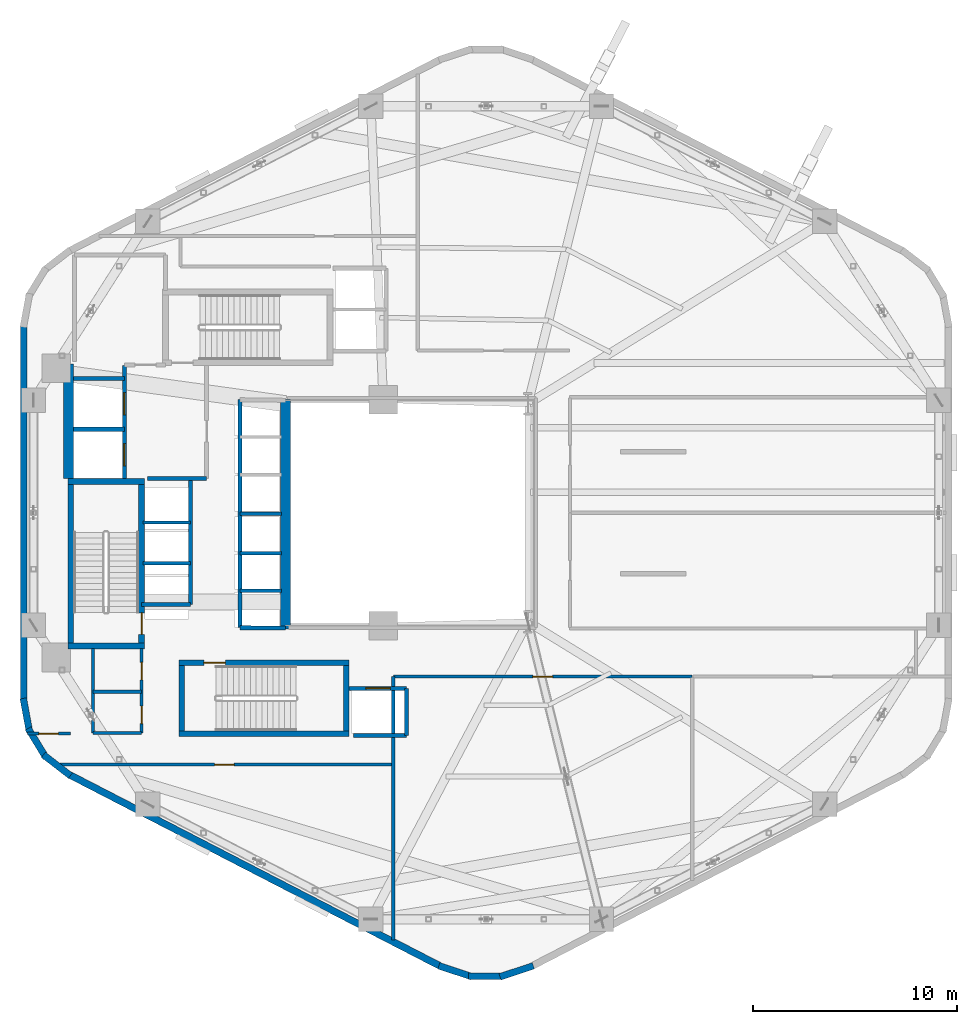
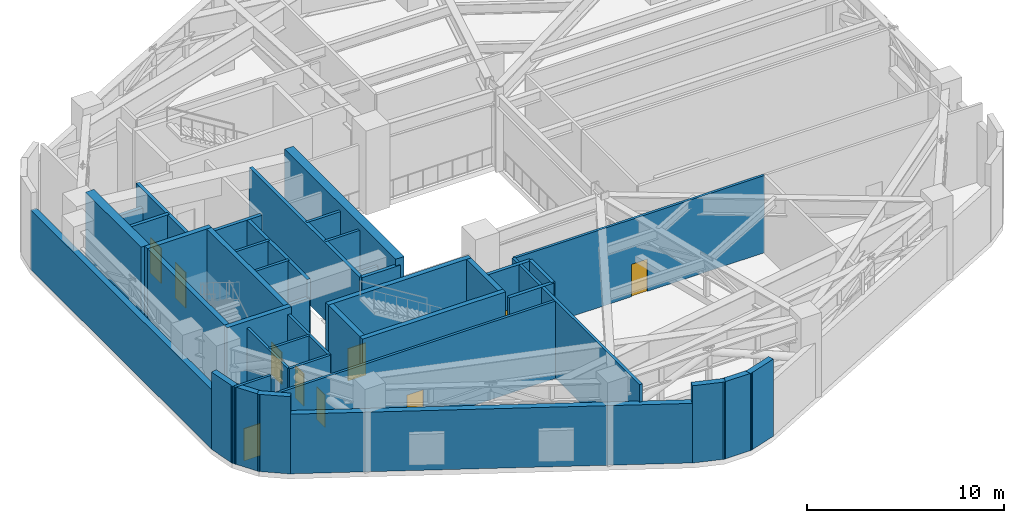
# One storey, part 10 of 14: 42 walls, 10 doors, 10 openings.
"""IFC4 building model written with IfcOpenShell, lengths in metres."""

from ifc_helpers import new_model, si_unit, direction, frame, frame_2d, origin, place, context, subcontext, project, spatial, rectangle, extrude, material, layer, layer_set, type_object, element, fill, save


model = new_model("IFC4")

# Units and contexts
model_context = context("Model", 3, precision=1e-05, world=origin(), true_north=direction((0.0, 1.0)))
body_context = subcontext(model_context, "Body", "Model", "MODEL_VIEW")
ifc_project = project(units=[si_unit("LENGTHUNIT", "METRE"), si_unit("AREAUNIT", "SQUARE_METRE"), si_unit("VOLUMEUNIT", "CUBIC_METRE"), si_unit("PLANEANGLEUNIT", "RADIAN"), si_unit("MASSUNIT", "GRAM", prefix="KILO"), si_unit("THERMODYNAMICTEMPERATUREUNIT", "KELVIN"), si_unit("POWERUNIT", "WATT")], contexts=[model_context])

# Site, building, storey
site_placement = place(None, origin())
site = spatial("IfcSite", under=ifc_project, at=site_placement, CompositionType="ELEMENT")
building_placement = place(site_placement, origin())
building = spatial("IfcBuilding", under=site, at=building_placement, Name="Skarre Station Tower", CompositionType="ELEMENT")
storey_placement = place(building_placement, frame((0.0, 0.0, 96.35009765625)))
storey = spatial("IfcBuildingStorey", under=building, at=storey_placement, Name="L25", CompositionType="ELEMENT", Elevation=96.35009765625)

# Walls
ifc_material_1 = material(Name="Acoustic Steel-Stud Gypsum Partition", Category="steel")
ifc_layer_1 = layer(ifc_material_1, 0.14990234375, Name="Acoustic Steel-Stud Gypsum Partition")
ifc_layer_set_1 = layer_set([ifc_layer_1], Name="Acoustic Steel-Stud Gypsum Partition")
wall_type_1 = type_object("IfcWallType", Name="Fire-Rated Corridor Acoustic Partition 150", PredefinedType="PARTITIONING", material=ifc_layer_set_1)
wall_1_placement = place(storey_placement, frame((18.10009765625, 17.340087890625, 0.0), z_axis=(0.0, 0.0, 1.0), x_axis=(0.0, -1.0, 0.0)))
element("IfcWall", 1, at=wall_1_placement, inside=storey, type_object=wall_type_1, Name="L25 Interior Partition WL-PT-L25-CSVC-W", PredefinedType="PARTITIONING", context=body_context, shape_type="SweptSolid", body=[
    extrude(rectangle(XDim=4.14013671875, YDim=0.14990234375, at=frame_2d((2.070068359375, 0.0))), origin(), (0.0, 0.0, 1.0), 4.77978515625),
])
for number, where, z_axis, x_axis, name in (
    (2, (18.10009765625, 13.199951171875, 0.0), (0.0, 0.0, 1.0), (1.0, 0.0, 0.0), "L25 Interior Partition WL-PT-L25-CSVC-S"),
    (3, (18.10009765625, 15.219970703125, 0.0), (0.0, 0.0, 1.0), (1.0, 0.0, 0.0), "L25 Interior Partition WL-PT-L25-CSVC-M"),
):
    element("IfcWall", number, at=place(storey_placement, frame(where, z_axis=z_axis, x_axis=x_axis)), inside=storey, type_object=wall_type_1, Name=name, PredefinedType="PARTITIONING", context=body_context, shape_type="SweptSolid", body=[
        extrude(rectangle(XDim=2.389892578125, YDim=0.14990234375, at=frame_2d((1.19482421875, 0.0))), origin(), (0.0, 0.0, 1.0), 4.77978515625),
    ])

# Wall, openings, doors
wall_2_placement = place(storey_placement, frame((20.489990234375, 13.199951171875, 0.0), z_axis=(0.0, 0.0, 1.0), x_axis=(0.0, 1.0, 0.0)))
wall_2 = element("IfcWall", 4, at=wall_2_placement, inside=storey, type_object=wall_type_1, Name="L25 Interior Partition WL-PT-L25-CSVC-E", PredefinedType="PARTITIONING", context=body_context, shape_type="SweptSolid", body=[
    extrude(rectangle(XDim=4.14013671875, YDim=0.14990234375, at=frame_2d((2.070068359375, 0.0))), origin(), (0.0, 0.0, 1.0), 4.77978515625),
])
opening_1_placement = place(wall_2_placement, frame((0.449951171875, 0.0, 0.0)))
opening_1 = element("IfcOpeningElement", 5, at=opening_1_placement, cuts=wall_2, Name="Opening DR-SVC86", PredefinedType="OPENING", context=body_context, shape_type="SweptSolid", body=[
    extrude(rectangle(XDim=0.860107421875, YDim=2.0, at=frame_2d((0.43017578125, 1.0))), frame((0.0, 0.0849609375, 0.0), z_axis=(0.0, -1.0, 0.0), x_axis=(1.0, 0.0, 0.0)), (0.0, 0.0, 1.0), 0.169921875),
])
opening_2_placement = place(wall_2_placement, frame((2.60009765625, 0.0, 0.0)))
opening_2 = element("IfcOpeningElement", 6, at=opening_2_placement, cuts=wall_2, Name="Opening DR-SVC86", PredefinedType="OPENING", context=body_context, shape_type="SweptSolid", body=[
    extrude(rectangle(XDim=0.860107421875, YDim=2.0, at=frame_2d((0.43017578125, 1.0))), frame((0.0, 0.0849609375, 0.0), z_axis=(0.0, -1.0, 0.0), x_axis=(1.0, 0.0, 0.0)), (0.0, 0.0, 1.0), 0.169921875),
])
ifc_material_2 = material(Name="Powder-Coated Hollow-Metal Acoustic Fire Leaf", Category="steel")
door_type_1 = type_object("IfcDoorType", Name="Compact Riser Fire Door FD60 860x2100", OperationType="SINGLE_SWING_LEFT", PredefinedType="DOOR", material=ifc_material_2)
door_1_placement = place(opening_1_placement, origin())
door_1 = element("IfcDoor", 7, at=door_1_placement, inside=storey, type_object=door_type_1, Name="L25 Vending Room Door", OperationType="SINGLE_SWING_LEFT", OverallHeight=2.0, OverallWidth=0.860107421875, PredefinedType="DOOR", context=body_context, shape_type="SweptSolid", body=[
    extrude(rectangle(XDim=0.860107421875, YDim=2.0, at=frame_2d((0.43017578125, 1.0))), frame((0.0, 0.02490234375, 0.0), z_axis=(0.0, -1.0, 0.0), x_axis=(1.0, 0.0, 0.0)), (0.0, 0.0, 1.0), 0.050048828125),
])
fill(opening_1, door_1)
door_2_placement = place(opening_2_placement, origin())
door_2 = element("IfcDoor", 8, at=door_2_placement, inside=storey, type_object=door_type_1, Name="L25 Linen Storage Door", OperationType="SINGLE_SWING_LEFT", OverallHeight=2.0, OverallWidth=0.860107421875, PredefinedType="DOOR", context=body_context, shape_type="SweptSolid", body=[
    extrude(rectangle(XDim=0.860107421875, YDim=2.0, at=frame_2d((0.43017578125, 1.0))), frame((0.0, 0.02490234375, 0.0), z_axis=(0.0, -1.0, 0.0), x_axis=(1.0, 0.0, 0.0)), (0.0, 0.0, 1.0), 0.050048828125),
])
fill(opening_2, door_2)

# Wall, opening, door
wall_3_placement = place(storey_placement, frame((17.0, 13.159912109375, 0.0), z_axis=(0.0, 0.0, 1.0), x_axis=(-1.0, 0.0, 0.0)))
wall_3 = element("IfcWall", 9, at=wall_3_placement, inside=storey, type_object=wall_type_1, Name="L25 Interior Partition WL-PT-L25-PLTW1-CW", PredefinedType="PARTITIONING", context=body_context, shape_type="SweptSolid", body=[
    extrude(rectangle(XDim=2.10009765625, YDim=0.14990234375, at=frame_2d((1.050048828125, 0.0))), origin(), (0.0, 0.0, 1.0), 4.77978515625),
])
opening_3_placement = place(wall_3_placement, frame((0.5869140625, 0.0, 0.0)))
opening_3 = element("IfcOpeningElement", 10, at=opening_3_placement, cuts=wall_3, Name="Opening DR-FD60", PredefinedType="OPENING", context=body_context, shape_type="SweptSolid", body=[
    extrude(rectangle(XDim=0.9599609375, YDim=2.0, at=frame_2d((0.47998046875, 1.0))), frame((0.0, 0.0849609375, 0.0), z_axis=(0.0, -1.0, 0.0), x_axis=(1.0, 0.0, 0.0)), (0.0, 0.0, 1.0), 0.169921875),
])
ifc_material_3 = material(Name="Nordic White-Oak Veneer Solid-Core Fire Leaf", Category="wood")
door_type_2 = type_object("IfcDoorType", Name="Corridor Suite Entry Fire Door FD60 960x2150", OperationType="SINGLE_SWING_LEFT", PredefinedType="DOOR", material=ifc_material_3)
door_3_placement = place(opening_3_placement, origin())
door_3 = element("IfcDoor", 11, at=door_3_placement, inside=storey, type_object=door_type_2, Name="L25 PLTW1 Entry Door", OperationType="SINGLE_SWING_LEFT", OverallHeight=2.0, OverallWidth=0.9599609375, PredefinedType="DOOR", context=body_context, shape_type="SweptSolid", body=[
    extrude(rectangle(XDim=0.9599609375, YDim=2.0, at=frame_2d((0.47998046875, 1.0))), frame((0.0, 0.02490234375, 0.0), z_axis=(0.0, -1.0, 0.0), x_axis=(1.0, 0.0, 0.0)), (0.0, 0.0, 1.0), 0.050048828125),
])
fill(opening_3, door_3)

wall_4_placement = place(storey_placement, frame((32.85009765625, 11.639892578125, 0.0), z_axis=(0.0, 0.0, 1.0), x_axis=(-1.0, 0.0, 0.0)))
wall_4 = element("IfcWall", 12, at=wall_4_placement, inside=storey, type_object=wall_type_1, Name="L25 Interior Partition WL-PT-L25-PLTSW1-CW", PredefinedType="PARTITIONING", context=body_context, shape_type="SweptSolid", body=[
    extrude(rectangle(XDim=16.59619140625, YDim=0.14990234375, at=frame_2d((8.298095703125, 0.0))), origin(), (0.0, 0.0, 1.0), 4.77978515625),
])
opening_4_placement = place(wall_4_placement, frame((7.818115234375, 0.0, 0.0)))
opening_4 = element("IfcOpeningElement", 13, at=opening_4_placement, cuts=wall_4, Name="Opening DR-FD60", PredefinedType="OPENING", context=body_context, shape_type="SweptSolid", body=[
    extrude(rectangle(XDim=0.9599609375, YDim=2.0, at=frame_2d((0.47998046875, 1.0))), frame((0.0, 0.0849609375, 0.0), z_axis=(0.0, -1.0, 0.0), x_axis=(1.0, 0.0, 0.0)), (0.0, 0.0, 1.0), 0.169921875),
])
door_4_placement = place(opening_4_placement, origin())
door_4 = element("IfcDoor", 14, at=door_4_placement, inside=storey, type_object=door_type_2, Name="L25 PLTSW1 Entry Door", OperationType="SINGLE_SWING_LEFT", OverallHeight=2.0, OverallWidth=0.9599609375, PredefinedType="DOOR", context=body_context, shape_type="SweptSolid", body=[
    extrude(rectangle(XDim=0.9599609375, YDim=2.0, at=frame_2d((0.47998046875, 1.0))), frame((0.0, 0.02490234375, 0.0), z_axis=(0.0, -1.0, 0.0), x_axis=(1.0, 0.0, 0.0)), (0.0, 0.0, 1.0), 0.050048828125),
])
fill(opening_4, door_4)

wall_5_placement = place(storey_placement, frame((32.85009765625, 15.9599609375, 0.0), z_axis=(0.0, 0.0, 1.0), x_axis=(1.0, 0.0, 0.0)))
wall_5 = element("IfcWall", 15, at=wall_5_placement, inside=storey, type_object=wall_type_1, Name="L25 Interior Partition WL-PT-L25-PLTS1-CW", PredefinedType="PARTITIONING", context=body_context, shape_type="SweptSolid", body=[
    extrude(rectangle(XDim=14.65478515625, YDim=0.14990234375, at=frame_2d((7.327392578125, 0.0))), origin(), (0.0, 0.0, 1.0), 4.77978515625),
])
opening_5_placement = place(wall_5_placement, frame((6.847900390625, 0.0, 0.0)))
opening_5 = element("IfcOpeningElement", 16, at=opening_5_placement, cuts=wall_5, Name="Opening DR-FD60", PredefinedType="OPENING", context=body_context, shape_type="SweptSolid", body=[
    extrude(rectangle(XDim=0.9599609375, YDim=2.0, at=frame_2d((0.47998046875, 1.0))), frame((0.0, 0.0849609375, 0.0), z_axis=(0.0, -1.0, 0.0), x_axis=(1.0, 0.0, 0.0)), (0.0, 0.0, 1.0), 0.169921875),
])
door_5_placement = place(opening_5_placement, origin())
door_5 = element("IfcDoor", 17, at=door_5_placement, inside=storey, type_object=door_type_2, Name="L25 PLTS1 Entry Door", OperationType="SINGLE_SWING_LEFT", OverallHeight=2.0, OverallWidth=0.9599609375, PredefinedType="DOOR", context=body_context, shape_type="SweptSolid", body=[
    extrude(rectangle(XDim=0.9599609375, YDim=2.0, at=frame_2d((0.47998046875, 1.0))), frame((0.0, 0.02490234375, 0.0), z_axis=(0.0, -1.0, 0.0), x_axis=(1.0, 0.0, 0.0)), (0.0, 0.0, 1.0), 0.050048828125),
])
fill(opening_5, door_5)

# Walls
ifc_material_4 = material(Name="Precast concrete C45/55", Category="concrete")
ifc_layer_2 = layer(ifc_material_4, 0.340087890625, Name="Precast concrete C45/55")
ifc_layer_set_2 = layer_set([ifc_layer_2], Name="Precast concrete C45/55")
wall_type_2 = type_object("IfcWallType", Name="Nordic Honed Precast Facet Wall 340", PredefinedType="STANDARD", material=ifc_layer_set_2)
wall_6_placement = place(storey_placement, frame((14.70703125, 14.798095703125, 0.0), z_axis=(0.0, 0.0, 1.0), x_axis=(0.0, 1.0, 0.0)))
element("IfcWall", 18, at=wall_6_placement, inside=storey, type_object=wall_type_2, Name="L25 Facet 2 Nordic Precast Masonry Wall", PredefinedType="STANDARD", context=body_context, shape_type="SweptSolid", body=[
    extrude(rectangle(XDim=18.40380859375, YDim=0.340087890625, at=frame_2d((9.201904296875, 0.0))), origin(), (0.0, 0.0, 1.0), 3.68798828125),
])
wall_7_placement = place(storey_placement, frame((35.1689453125, 1.742919921875, 0.0), z_axis=(0.0, 0.0, 1.0), x_axis=(-0.888634413993, 0.458616264721, 0.0)))
element("IfcWall", 19, at=wall_7_placement, inside=storey, type_object=wall_type_2, Name="L25 Facet 3 Nordic Precast Masonry Wall", PredefinedType="STANDARD", context=body_context, shape_type="SweptSolid", body=[
    extrude(rectangle(XDim=20.53125, YDim=0.340087890625, at=frame_2d((10.265625, 0.0))), origin(), (0.0, 0.0, 1.0), 3.68798828125),
])
ifc_layer_3 = layer(ifc_material_4, 0.330078125, Name="Precast concrete C45/55")
ifc_layer_set_3 = layer_set([ifc_layer_3], Name="Precast concrete C45/55")
wall_type_3 = type_object("IfcWallType", Name="Nordic Rounded Corner Precast Wall 330", PredefinedType="STANDARD", material=ifc_layer_set_3)
wall_8_placement = place(storey_placement, frame((16.998046875, 11.09912109375, 0.0), z_axis=(0.0, 0.0, 1.0), x_axis=(-0.790691856293, 0.61221433207, 0.0)))
element("IfcWall", 20, at=wall_8_placement, inside=storey, type_object=wall_type_3, Name="L25 Rounded Corner Precast Wall F3-1", PredefinedType="STANDARD", context=body_context, shape_type="SweptSolid", body=[
    extrude(rectangle(XDim=1.67578125, YDim=0.330078125, at=frame_2d((0.837890625, 0.0))), origin(), (0.0, 0.0, 1.0), 4.77978515625),
])
wall_9_placement = place(storey_placement, frame((15.798095703125, 11.985107421875, 0.0), z_axis=(0.0, 0.0, 1.0), x_axis=(-0.520584129191, 0.853810379671, 0.0)))
element("IfcWall", 21, at=wall_9_placement, inside=storey, type_object=wall_type_3, Name="L25 Rounded Corner Precast Wall F3-2", PredefinedType="STANDARD", context=body_context, shape_type="SweptSolid", body=[
    extrude(rectangle(XDim=1.677001953125, YDim=0.330078125, at=frame_2d((0.83837890625, 0.0))), origin(), (0.0, 0.0, 1.0), 4.77978515625),
])
wall_10_placement = place(storey_placement, frame((14.991943359375, 13.241943359375, 0.0), z_axis=(0.0, 0.0, 1.0), x_axis=(-0.181714143354, 0.983351397063, 0.0)))
element("IfcWall", 22, at=wall_10_placement, inside=storey, type_object=wall_type_3, Name="L25 Rounded Corner Precast Wall F3-3", PredefinedType="STANDARD", context=body_context, shape_type="SweptSolid", body=[
    extrude(rectangle(XDim=1.677978515625, YDim=0.330078125, at=frame_2d((0.8388671875, 0.0))), origin(), (0.0, 0.0, 1.0), 4.77978515625),
])
wall_11_placement = place(storey_placement, frame((39.718994140625, 1.76904296875, 0.0), z_axis=(0.0, 0.0, 1.0), x_axis=(-0.94976901097, -0.312951794691, 0.0)))
element("IfcWall", 23, at=wall_11_placement, inside=storey, type_object=wall_type_3, Name="L25 Rounded Corner Precast Wall F4-1", PredefinedType="STANDARD", context=body_context, shape_type="SweptSolid", body=[
    extrude(rectangle(XDim=1.722412109375, YDim=0.330078125, at=frame_2d((0.861328125, 0.0))), origin(), (0.0, 0.0, 1.0), 4.77978515625),
])
wall_12_placement = place(storey_placement, frame((38.260986328125, 1.259033203125, 0.0), z_axis=(0.0, 0.0, 1.0), x_axis=(-1.0, 0.0, 0.0)))
element("IfcWall", 24, at=wall_12_placement, inside=storey, type_object=wall_type_3, Name="L25 Rounded Corner Precast Wall F4-2", PredefinedType="STANDARD", context=body_context, shape_type="SweptSolid", body=[
    extrude(rectangle(XDim=1.721923828125, YDim=0.330078125, at=frame_2d((0.86083984375, 0.0))), origin(), (0.0, 0.0, 1.0), 4.77978515625),
])
wall_13_placement = place(storey_placement, frame((36.717041015625, 1.22998046875, 0.0), z_axis=(0.0, 0.0, 1.0), x_axis=(-0.94976901097, 0.312951794691, 0.0)))
element("IfcWall", 25, at=wall_13_placement, inside=storey, type_object=wall_type_3, Name="L25 Rounded Corner Precast Wall F4-3", PredefinedType="STANDARD", context=body_context, shape_type="SweptSolid", body=[
    extrude(rectangle(XDim=1.722412109375, YDim=0.330078125, at=frame_2d((0.861328125, 0.0))), origin(), (0.0, 0.0, 1.0), 4.77978515625),
])
ifc_material_5 = material(Name="Concrete C50/60", Category="concrete")
ifc_layer_4 = layer(ifc_material_5, 0.280029296875, Name="Concrete C50/60")
ifc_layer_set_4 = layer_set([ifc_layer_4], Name="Concrete C50/60")
wall_type_4 = type_object("IfcWallType", Name="RC Core Shear Wall 280", PredefinedType="SHEAR", material=ifc_layer_set_4)
for number, where, z_axis, x_axis, name in (
    (26, (16.8701171875, 17.4599609375, 0.0), (0.0, 0.0, 1.0), (1.0, 0.0, 0.0), "L25 Stair ST-1 South Shear Wall"),
    (27, (20.6298828125, 25.5400390625, 0.0), (0.0, 0.0, 1.0), (-1.0, 0.0, 0.0), "L25 Stair ST-1 North Shear Wall"),
):
    element("IfcWall", number, at=place(storey_placement, frame(where, z_axis=z_axis, x_axis=x_axis)), inside=storey, type_object=wall_type_4, Name=name, PredefinedType="SHEAR", context=body_context, shape_type="SweptSolid", body=[
        extrude(rectangle(XDim=3.759765625, YDim=0.280029296875, at=frame_2d((1.8798828125, 0.0))), origin(), (0.0, 0.0, 1.0), 5.199951171875),
    ])
wall_14_placement = place(storey_placement, frame((17.010009765625, 25.39990234375, 0.0), z_axis=(0.0, 0.0, 1.0), x_axis=(0.0, -1.0, 0.0)))
element("IfcWall", 28, at=wall_14_placement, inside=storey, type_object=wall_type_4, Name="L25 Stair ST-1 West Shear Wall", PredefinedType="SHEAR", context=body_context, shape_type="SweptSolid", body=[
    extrude(rectangle(XDim=7.7998046875, YDim=0.280029296875, at=frame_2d((3.89990234375, 0.0))), origin(), (0.0, 0.0, 1.0), 5.199951171875),
])

# Wall, opening, door
wall_15_placement = place(storey_placement, frame((20.489990234375, 17.60009765625, 0.0), z_axis=(0.0, 0.0, 1.0), x_axis=(0.0, 1.0, 0.0)))
wall_15 = element("IfcWall", 29, at=wall_15_placement, inside=storey, type_object=wall_type_4, Name="L25 Stair ST-1 East Shear Wall", PredefinedType="SHEAR", context=body_context, shape_type="SweptSolid", body=[
    extrude(rectangle(XDim=7.7998046875, YDim=0.280029296875, at=frame_2d((3.89990234375, 0.0))), origin(), (0.0, 0.0, 1.0), 5.199951171875),
])
opening_6_placement = place(wall_15_placement, frame((0.43994140625, 0.0, 0.0)))
opening_6 = element("IfcOpeningElement", 30, at=opening_6_placement, cuts=wall_15, Name="Opening DR-FD90", PredefinedType="OPENING", context=body_context, shape_type="SweptSolid", body=[
    extrude(rectangle(XDim=1.050048828125, YDim=2.0, at=frame_2d((0.52490234375, 1.0))), frame((0.0, 0.14990234375, 0.0), z_axis=(0.0, -1.0, 0.0), x_axis=(1.0, 0.0, 0.0)), (0.0, 0.0, 1.0), 0.300048828125),
])
ifc_material_6 = material(Name="Fire-Rated Insulated Steel Frame & Timber Core Leaf", Category="steel")
door_type_3 = type_object("IfcDoorType", Name="Stair & FSAE Lobby Fire Door FD90 1050x2150", OperationType="SINGLE_SWING_RIGHT", PredefinedType="DOOR", material=ifc_material_6)
door_6_placement = place(opening_6_placement, origin())
door_6 = element("IfcDoor", 31, at=door_6_placement, inside=storey, type_object=door_type_3, Name="L25 Stair ST-1 Exit Door", OperationType="SINGLE_SWING_RIGHT", OverallHeight=2.0, OverallWidth=1.050048828125, PredefinedType="DOOR", context=body_context, shape_type="SweptSolid", body=[
    extrude(rectangle(XDim=1.050048828125, YDim=2.0, at=frame_2d((0.52490234375, 1.0))), frame((0.0, 0.02490234375, 0.0), z_axis=(0.0, -1.0, 0.0), x_axis=(1.0, 0.0, 0.0)), (0.0, 0.0, 1.0), 0.050048828125),
])
fill(opening_6, door_6)

# Wall
wall_16_placement = place(storey_placement, frame((22.320068359375, 13.159912109375, 0.0), z_axis=(0.0, 0.0, 1.0), x_axis=(1.0, 0.0, 0.0)))
element("IfcWall", 32, at=wall_16_placement, inside=storey, type_object=wall_type_4, Name="L25 Stair ST-2 South Shear Wall", PredefinedType="SHEAR", context=body_context, shape_type="SweptSolid", body=[
    extrude(rectangle(XDim=8.35986328125, YDim=0.280029296875, at=frame_2d((4.179931640625, 0.0))), origin(), (0.0, 0.0, 1.0), 5.199951171875),
])

# Wall, opening, door
wall_17_placement = place(storey_placement, frame((30.679931640625, 16.639892578125, 0.0), z_axis=(0.0, 0.0, 1.0), x_axis=(-1.0, 0.0, 0.0)))
wall_17 = element("IfcWall", 33, at=wall_17_placement, inside=storey, type_object=wall_type_4, Name="L25 Stair ST-2 North Shear Wall", PredefinedType="SHEAR", context=body_context, shape_type="SweptSolid", body=[
    extrude(rectangle(XDim=8.35986328125, YDim=0.280029296875, at=frame_2d((4.179931640625, 0.0))), origin(), (0.0, 0.0, 1.0), 5.199951171875),
])
opening_7_placement = place(wall_17_placement, frame((6.080078125, 0.0, 0.0)))
opening_7 = element("IfcOpeningElement", 34, at=opening_7_placement, cuts=wall_17, Name="Opening DR-FD90", PredefinedType="OPENING", context=body_context, shape_type="SweptSolid", body=[
    extrude(rectangle(XDim=1.050048828125, YDim=2.0, at=frame_2d((0.52490234375, 1.0))), frame((0.0, 0.14990234375, 0.0), z_axis=(0.0, -1.0, 0.0), x_axis=(1.0, 0.0, 0.0)), (0.0, 0.0, 1.0), 0.300048828125),
])
door_7_placement = place(opening_7_placement, origin())
door_7 = element("IfcDoor", 35, at=door_7_placement, inside=storey, type_object=door_type_3, Name="L25 Stair ST-2 Exit Door", OperationType="SINGLE_SWING_RIGHT", OverallHeight=2.0, OverallWidth=1.050048828125, PredefinedType="DOOR", context=body_context, shape_type="SweptSolid", body=[
    extrude(rectangle(XDim=1.050048828125, YDim=2.0, at=frame_2d((0.52490234375, 1.0))), frame((0.0, 0.02490234375, 0.0), z_axis=(0.0, -1.0, 0.0), x_axis=(1.0, 0.0, 0.0)), (0.0, 0.0, 1.0), 0.050048828125),
])
fill(opening_7, door_7)

# Walls
for number, where, z_axis, x_axis, name in (
    (36, (22.4599609375, 16.5, 0.0), (0.0, 0.0, 1.0), (0.0, -1.0, 0.0), "L25 Stair ST-2 West Shear Wall"),
    (37, (30.5400390625, 13.300048828125, 0.0), (0.0, 0.0, 1.0), (0.0, 1.0, 0.0), "L25 Stair ST-2 East Shear Wall"),
):
    element("IfcWall", number, at=place(storey_placement, frame(where, z_axis=z_axis, x_axis=x_axis)), inside=storey, type_object=wall_type_4, Name=name, PredefinedType="SHEAR", context=body_context, shape_type="SweptSolid", body=[
        extrude(rectangle(XDim=3.199951171875, YDim=0.280029296875, at=frame_2d((1.60009765625, 0.0))), origin(), (0.0, 0.0, 1.0), 5.199951171875),
    ])
ifc_material_7 = material(Name="Concrete C70/85", Category="concrete")
ifc_layer_5 = layer(ifc_material_7, 0.5, Name="Concrete C70/85")
ifc_layer_set_5 = layer_set([ifc_layer_5], Name="Concrete C70/85")
wall_type_5 = type_object("IfcWallType", Name="RC Core Shear Wall 500", PredefinedType="SHEAR", material=ifc_layer_set_5)
wall_18_placement = place(storey_placement, frame((16.89990234375, 25.679931640625, 0.0), z_axis=(0.0, 0.0, 1.0), x_axis=(0.0, 1.0, 0.0)))
element("IfcWall", 38, at=wall_18_placement, inside=storey, type_object=wall_type_5, Name="L25 Core West-North Shear Wall", PredefinedType="SHEAR", context=body_context, shape_type="SweptSolid", body=[
    extrude(rectangle(XDim=5.6201171875, YDim=0.5, at=frame_2d((2.81005859375, 0.0))), origin(), (0.0, 0.0, 1.0), 5.199951171875),
])
wall_19_placement = place(storey_placement, frame((27.550048828125, 29.550048828125, 0.0), z_axis=(0.0, 0.0, 1.0), x_axis=(0.0, -1.0, 0.0)))
element("IfcWall", 39, at=wall_19_placement, inside=storey, type_object=wall_type_5, Name="L25 Core East Atrium Shear Wall", PredefinedType="SHEAR", context=body_context, shape_type="SweptSolid", body=[
    extrude(rectangle(XDim=11.25, YDim=0.5, at=frame_2d((5.625, 0.0))), origin(), (0.0, 0.0, 1.0), 5.199951171875),
])

# Wall, openings, doors
ifc_material_8 = material(Name="Gypsum Concrete Shaft Assembly C30/37", Category="concrete")
ifc_layer_6 = layer(ifc_material_8, 0.199951171875, Name="Gypsum Concrete Shaft Assembly C30/37")
ifc_layer_set_6 = layer_set([ifc_layer_6], Name="Gypsum Concrete Shaft Assembly C30/37")
wall_type_6 = type_object("IfcWallType", Name="Shaft & Core Fire Partition 200", PredefinedType="PARTITIONING", material=ifc_layer_set_6)
wall_20_placement = place(storey_placement, frame((19.64990234375, 25.679931640625, 0.0), z_axis=(0.0, 0.0, 1.0), x_axis=(0.0, 1.0, 0.0)))
wall_20 = element("IfcWall", 40, at=wall_20_placement, inside=storey, type_object=wall_type_6, Name="L25 Interior Partition WL-PT-L25-FSAE-W", PredefinedType="PARTITIONING", context=body_context, shape_type="SweptSolid", body=[
    extrude(rectangle(XDim=5.5400390625, YDim=0.199951171875, at=frame_2d((2.77001953125, 0.0))), origin(), (0.0, 0.0, 1.0), 4.77978515625),
])
opening_8_placement = place(wall_20_placement, frame((0.6201171875, 0.0, 0.0)))
opening_8 = element("IfcOpeningElement", 41, at=opening_8_placement, cuts=wall_20, Name="Opening LD-FF1", PredefinedType="OPENING", context=body_context, shape_type="SweptSolid", body=[
    extrude(rectangle(XDim=1.10009765625, YDim=2.199951171875, at=frame_2d((0.550048828125, 1.10009765625))), frame((0.0, 0.10986328125, 0.0), z_axis=(0.0, -1.0, 0.0), x_axis=(1.0, 0.0, 0.0)), (0.0, 0.0, 1.0), 0.219970703125),
])
opening_9_placement = place(wall_20_placement, frame((3.1201171875, 0.0, 0.0)))
opening_9 = element("IfcOpeningElement", 42, at=opening_9_placement, cuts=wall_20, Name="Opening LD-FF2", PredefinedType="OPENING", context=body_context, shape_type="SweptSolid", body=[
    extrude(rectangle(XDim=1.10009765625, YDim=2.199951171875, at=frame_2d((0.550048828125, 1.10009765625))), frame((0.0, 0.10986328125, 0.0), z_axis=(0.0, -1.0, 0.0), x_axis=(1.0, 0.0, 0.0)), (0.0, 0.0, 1.0), 0.219970703125),
])
ifc_material_9 = material(Name="Fire-Rated Stainless Steel Grade 316L Sliding Leaves", Category="steel")
door_type_4 = type_object("IfcDoorType", Name="Fire Service Access Elevator Sliding Landing Door 1100x2200", OperationType="SLIDING_TO_LEFT", PredefinedType="DOOR", material=ifc_material_9)
door_8_placement = place(opening_8_placement, origin())
door_8 = element("IfcDoor", 43, at=door_8_placement, inside=storey, type_object=door_type_4, Name="L25 Firefighting Lift LF-FF1 Landing Door", OperationType="SLIDING_TO_LEFT", OverallHeight=2.199951171875, OverallWidth=1.10009765625, PredefinedType="DOOR", context=body_context, shape_type="SweptSolid", body=[
    extrude(rectangle(XDim=1.10009765625, YDim=2.199951171875, at=frame_2d((0.550048828125, 1.10009765625))), frame((0.0, 0.02490234375, 0.0), z_axis=(0.0, -1.0, 0.0), x_axis=(1.0, 0.0, 0.0)), (0.0, 0.0, 1.0), 0.050048828125),
])
fill(opening_8, door_8)
door_9_placement = place(opening_9_placement, origin())
door_9 = element("IfcDoor", 44, at=door_9_placement, inside=storey, type_object=door_type_4, Name="L25 Firefighting Lift LF-FF2 Landing Door", OperationType="SLIDING_TO_LEFT", OverallHeight=2.199951171875, OverallWidth=1.10009765625, PredefinedType="DOOR", context=body_context, shape_type="SweptSolid", body=[
    extrude(rectangle(XDim=1.10009765625, YDim=2.199951171875, at=frame_2d((0.550048828125, 1.10009765625))), frame((0.0, 0.02490234375, 0.0), z_axis=(0.0, -1.0, 0.0), x_axis=(1.0, 0.0, 0.0)), (0.0, 0.0, 1.0), 0.050048828125),
])
fill(opening_9, door_9)

# Walls
wall_21_placement = place(storey_placement, frame((20.79296875, 25.679931640625, 0.0), z_axis=(0.0, 0.0, 1.0), x_axis=(1.0, 0.0, 0.0)))
element("IfcWall", 45, at=wall_21_placement, inside=storey, type_object=wall_type_6, Name="L25 Interior Partition WL-PT-L25-FSAE-S", PredefinedType="PARTITIONING", context=body_context, shape_type="SweptSolid", body=[
    extrude(rectangle(XDim=2.886962890625, YDim=0.199951171875, at=frame_2d((1.443359375, 0.0))), origin(), (0.0, 0.0, 1.0), 4.77978515625),
])
wall_22_placement = place(storey_placement, frame((17.14990234375, 28.10009765625, 0.0), z_axis=(0.0, 0.0, 1.0), x_axis=(1.0, 0.0, 0.0)))
element("IfcWall", 46, at=wall_22_placement, inside=storey, type_object=wall_type_6, Name="L25 Interior Partition WL-PT-L25-FF-DIV", PredefinedType="PARTITIONING", context=body_context, shape_type="SweptSolid", body=[
    extrude(rectangle(XDim=2.5, YDim=0.199951171875, at=frame_2d((1.25, 0.0))), origin(), (0.0, 0.0, 1.0), 4.77978515625),
])
wall_23_placement = place(storey_placement, frame((19.64990234375, 30.60009765625, 0.0), z_axis=(0.0, 0.0, 1.0), x_axis=(-1.0, 0.0, 0.0)))
element("IfcWall", 47, at=wall_23_placement, inside=storey, type_object=wall_type_6, Name="L25 Interior Partition WL-PT-L25-FF-N", PredefinedType="PARTITIONING", context=body_context, shape_type="SweptSolid", body=[
    extrude(rectangle(XDim=2.5, YDim=0.199951171875, at=frame_2d((1.25, 0.0))), origin(), (0.0, 0.0, 1.0), 3.679931640625),
])

# Wall, opening, door
wall_24_placement = place(storey_placement, frame((33.5, 15.3798828125, 0.0), z_axis=(0.0, 0.0, 1.0), x_axis=(-1.0, 0.0, 0.0)))
wall_24 = element("IfcWall", 48, at=wall_24_placement, inside=storey, type_object=wall_type_6, Name="L25 Interior Partition WL-PT-L25-SV1-N", PredefinedType="PARTITIONING", context=body_context, shape_type="SweptSolid", body=[
    extrude(rectangle(XDim=2.820068359375, YDim=0.199951171875, at=frame_2d((1.41015625, 0.0))), origin(), (0.0, 0.0, 1.0), 4.77978515625),
])
opening_10_placement = place(wall_24_placement, frame((0.800048828125, 0.0, 0.0)))
opening_10 = element("IfcOpeningElement", 49, at=opening_10_placement, cuts=wall_24, Name="Opening LD-SV1", PredefinedType="OPENING", context=body_context, shape_type="SweptSolid", body=[
    extrude(rectangle(XDim=1.199951171875, YDim=2.199951171875, at=frame_2d((0.60009765625, 1.10009765625))), frame((0.0, 0.10986328125, 0.0), z_axis=(0.0, -1.0, 0.0), x_axis=(1.0, 0.0, 0.0)), (0.0, 0.0, 1.0), 0.219970703125),
])
ifc_material_10 = material(Name="Heavy-Gauge Brushed Stainless Steel Sliding Leaves", Category="steel")
door_type_5 = type_object("IfcDoorType", Name="Service Elevator Wide Sliding Landing Door 1200x2200", OperationType="SLIDING_TO_RIGHT", PredefinedType="DOOR", material=ifc_material_10)
door_10_placement = place(opening_10_placement, origin())
door_10 = element("IfcDoor", 50, at=door_10_placement, inside=storey, type_object=door_type_5, Name="L25 Service Lift LF-SV1 Landing Door", OperationType="SLIDING_TO_RIGHT", OverallHeight=2.199951171875, OverallWidth=1.199951171875, PredefinedType="DOOR", context=body_context, shape_type="SweptSolid", body=[
    extrude(rectangle(XDim=1.199951171875, YDim=2.199951171875, at=frame_2d((0.60009765625, 1.10009765625))), frame((0.0, 0.02490234375, 0.0), z_axis=(0.0, -1.0, 0.0), x_axis=(1.0, 0.0, 0.0)), (0.0, 0.0, 1.0), 0.050048828125),
])
fill(opening_10, door_10)

# Walls
wall_25_placement = place(storey_placement, frame((33.5, 13.080078125, 0.0), z_axis=(0.0, 0.0, 1.0), x_axis=(0.0, 1.0, 0.0)))
element("IfcWall", 51, at=wall_25_placement, inside=storey, type_object=wall_type_6, Name="L25 Interior Partition WL-PT-L25-SV1-E", PredefinedType="PARTITIONING", context=body_context, shape_type="SweptSolid", body=[
    extrude(rectangle(XDim=2.2998046875, YDim=0.199951171875, at=frame_2d((1.14990234375, 0.0))), origin(), (0.0, 0.0, 1.0), 4.77978515625),
])
wall_26_placement = place(storey_placement, frame((30.87890625, 13.080078125, 0.0), z_axis=(0.0, 0.0, 1.0), x_axis=(1.0, 0.0, 0.0)))
element("IfcWall", 52, at=wall_26_placement, inside=storey, type_object=wall_type_6, Name="L25 Interior Partition WL-PT-L25-SV1-S", PredefinedType="PARTITIONING", context=body_context, shape_type="SweptSolid", body=[
    extrude(rectangle(XDim=2.62109375, YDim=0.199951171875, at=frame_2d((1.310546875, 0.0))), origin(), (0.0, 0.0, 1.0), 4.77978515625),
])
wall_27_placement = place(storey_placement, frame((22.89990234375, 19.5, 0.0), z_axis=(0.0, 0.0, 1.0), x_axis=(0.0, 1.0, 0.0)))
element("IfcWall", 53, at=wall_27_placement, inside=storey, type_object=wall_type_6, Name="L25 Interior Partition WL-PT-L25-B3-E", PredefinedType="PARTITIONING", context=body_context, shape_type="SweptSolid", body=[
    extrude(rectangle(XDim=6.0849609375, YDim=0.199951171875, at=frame_2d((3.04248046875, 0.0))), origin(), (0.0, 0.0, 1.0), 4.77978515625),
])
wall_28_placement = place(storey_placement, frame((20.489990234375, 19.5, 0.0), z_axis=(0.0, 0.0, 1.0), x_axis=(1.0, 0.0, 0.0)))
element("IfcWall", 54, at=wall_28_placement, inside=storey, type_object=wall_type_6, Name="L25 Interior Partition WL-PT-L25-B3-S", PredefinedType="PARTITIONING", context=body_context, shape_type="SweptSolid", body=[
    extrude(rectangle(XDim=2.409912109375, YDim=0.199951171875, at=frame_2d((1.205078125, 0.0))), origin(), (0.0, 0.0, 1.0), 3.679931640625),
])
for number, where, z_axis, x_axis, name in (
    (55, (20.550048828125, 21.52001953125, 0.0), (0.0, 0.0, 1.0), (1.0, 0.0, 0.0), "L25 Interior Partition WL-PT-L25-B3-D1"),
    (56, (20.550048828125, 23.52001953125, 0.0), (0.0, 0.0, 1.0), (1.0, 0.0, 0.0), "L25 Interior Partition WL-PT-L25-B3-D2"),
):
    element("IfcWall", number, at=place(storey_placement, frame(where, z_axis=z_axis, x_axis=x_axis)), inside=storey, type_object=wall_type_6, Name=name, PredefinedType="PARTITIONING", context=body_context, shape_type="SweptSolid", body=[
        extrude(rectangle(XDim=2.349853515625, YDim=0.159912109375, at=frame_2d((1.1748046875, 0.0))), origin(), (0.0, 0.0, 1.0), 4.77978515625),
    ])
wall_29_placement = place(storey_placement, frame((25.320068359375, 29.550048828125, 0.0), z_axis=(0.0, 0.0, 1.0), x_axis=(0.0, -1.0, 0.0)))
element("IfcWall", 57, at=wall_29_placement, inside=storey, type_object=wall_type_6, Name="L25 Interior Partition WL-PT-L25-B12-W", PredefinedType="PARTITIONING", context=body_context, shape_type="SweptSolid", body=[
    extrude(rectangle(XDim=11.18994140625, YDim=0.199951171875, at=frame_2d((5.594970703125, 0.0))), origin(), (0.0, 0.0, 1.0), 4.77978515625),
])
wall_30_placement = place(storey_placement, frame((25.320068359375, 18.360107421875, 0.0), z_axis=(0.0, 0.0, 1.0), x_axis=(0.999989925833, -0.004488678231, 0.0)))
element("IfcWall", 58, at=wall_30_placement, inside=storey, type_object=wall_type_6, Name="L25 Interior Partition WL-PT-L25-B12-S", PredefinedType="PARTITIONING", context=body_context, shape_type="SweptSolid", body=[
    extrude(rectangle(XDim=2.22998046875, YDim=0.199951171875, at=frame_2d((1.114990234375, 0.0))), origin(), (0.0, 0.0, 1.0), 4.77978515625),
])
wall_31_placement = place(storey_placement, frame((25.320068359375, 20.169921875, 0.0), z_axis=(0.0, 0.0, 1.0), x_axis=(1.0, 0.0, 0.0)))
element("IfcWall", 59, at=wall_31_placement, inside=storey, type_object=wall_type_6, Name="L25 Interior Partition WL-PT-L25-B12-D201", PredefinedType="PARTITIONING", context=body_context, shape_type="SweptSolid", body=[
    extrude(rectangle(XDim=2.030029296875, YDim=0.159912109375, at=frame_2d((1.01513671875, 0.0))), origin(), (0.0, 0.0, 1.0), 3.679931640625),
])
for number, where, z_axis, x_axis, name in (
    (60, (25.320068359375, 22.02001953125, 0.0), (0.0, 0.0, 1.0), (1.0, 0.0, 0.0), "L25 Interior Partition WL-PT-L25-B12-D220"),
    (61, (25.320068359375, 23.949951171875, 0.0), (0.0, 0.0, 1.0), (1.0, 0.0, 0.0), "L25 Interior Partition WL-PT-L25-B12-D239"),
):
    element("IfcWall", number, at=place(storey_placement, frame(where, z_axis=z_axis, x_axis=x_axis)), inside=storey, type_object=wall_type_6, Name=name, PredefinedType="PARTITIONING", context=body_context, shape_type="SweptSolid", body=[
        extrude(rectangle(XDim=2.030029296875, YDim=0.159912109375, at=frame_2d((1.01513671875, 0.0))), origin(), (0.0, 0.0, 1.0), 4.77978515625),
    ])
ifc_layer_7 = layer(ifc_material_1, 0.1650390625, Name="Acoustic Steel-Stud Gypsum Partition")
ifc_layer_set_7 = layer_set([ifc_layer_7], Name="Acoustic Steel-Stud Gypsum Partition")
wall_type_7 = type_object("IfcWallType", Name="Suite Demising Acoustic Partition 165", PredefinedType="PARTITIONING", material=ifc_layer_set_7)
wall_32_placement = place(storey_placement, frame((32.85009765625, 3.030029296875, 0.0), z_axis=(0.0, 0.0, 1.0), x_axis=(0.0, 1.0, 0.0)))
element("IfcWall", 62, at=wall_32_placement, inside=storey, type_object=wall_type_7, Name="L25 Interior Partition WL-PT-L25-PLTSW-E", PredefinedType="PARTITIONING", context=body_context, shape_type="SweptSolid", body=[
    extrude(rectangle(XDim=12.929931640625, YDim=0.1650390625, at=frame_2d((6.46484375, 0.0))), origin(), (0.0, 0.0, 1.0), 4.77978515625),
])

save(model, "model.ifc")
